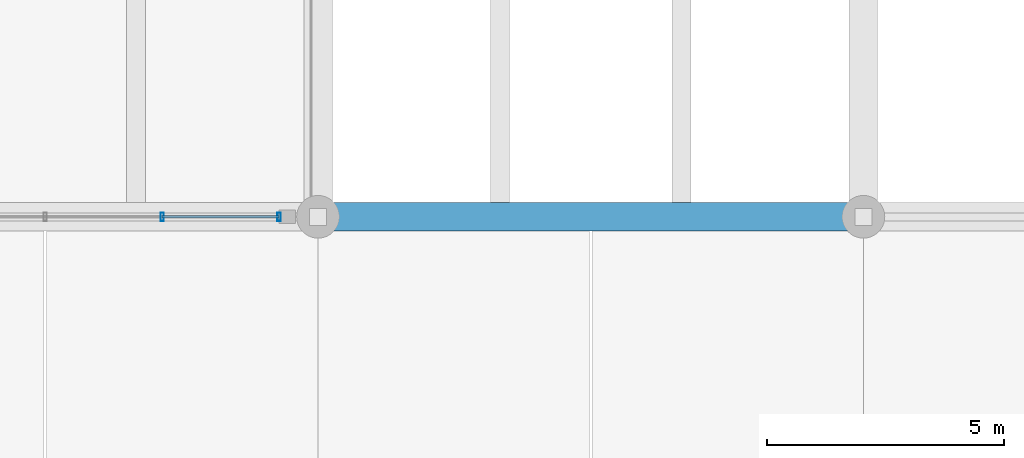
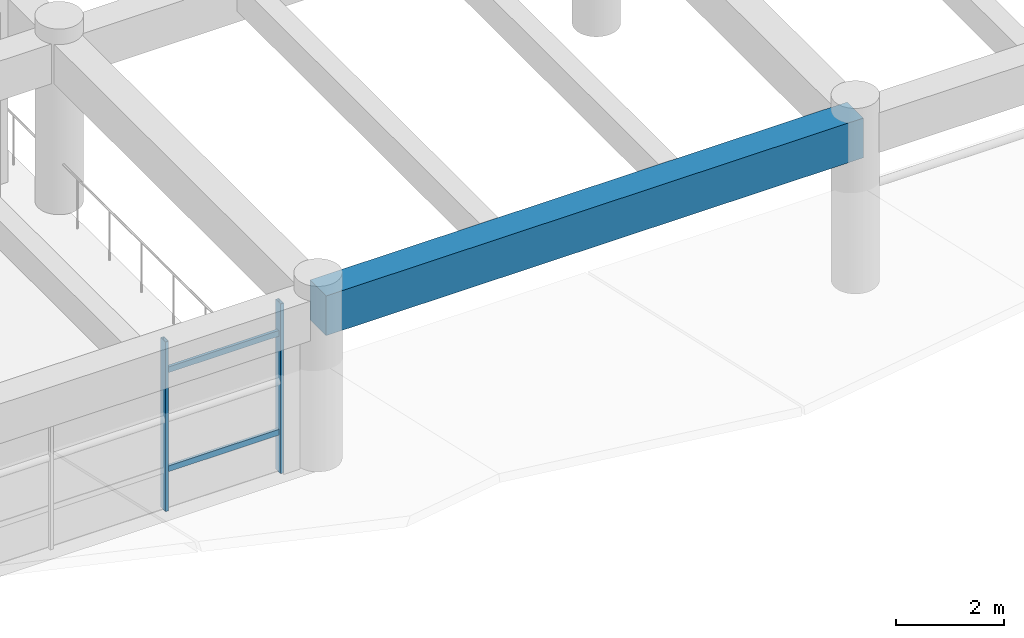
# One storey, part 16 of 98: 4 members, 1 beam, 1 element without a shape of its own.
"""IFC4 building model written with IfcOpenShell, lengths in metres."""

from ifc_helpers import new_model, si_unit, direction, frame, origin, origin_2d, place, context, subcontext, project, spatial, rectangle, hollow_rectangle, extrude, material, material_profile, profile_set, type_object, element, aggregate, save


model = new_model("IFC4")

# Units and contexts
model_context = context("Model", 3, precision=1e-05, world=origin(), true_north=direction((0.0, 1.0)))
body_context = subcontext(model_context, "Body", "Model", "MODEL_VIEW")
ifc_project = project(units=[si_unit("LENGTHUNIT", "METRE"), si_unit("AREAUNIT", "SQUARE_METRE"), si_unit("VOLUMEUNIT", "CUBIC_METRE"), si_unit("PLANEANGLEUNIT", "RADIAN"), si_unit("MASSUNIT", "GRAM", prefix="KILO")], contexts=[model_context])

# Site, building, storey
site_placement = place(None, origin())
site = spatial("IfcSite", under=ifc_project, at=site_placement, CompositionType="ELEMENT")
building_placement = place(site_placement, origin())
building = spatial("IfcBuilding", under=site, at=building_placement, Name="Ologun Quay Terminus", CompositionType="ELEMENT")
storey_placement = place(building_placement, frame((0.0, 0.0, 4.199951171875)))
storey = spatial("IfcBuildingStorey", under=building, at=storey_placement, Name="L01", CompositionType="ELEMENT", Elevation=4.199951171875)

# Curtain wall, members
ifc_material_1 = material(Name="Aluminium 6063-T6", Category="aluminium")
curtain_wall_type = type_object("IfcCurtainWallType", Name="Ticket Hall Upper Portal Curtain Wall 10700x3800", PredefinedType="USERDEFINED", material=ifc_material_1)
curtain_wall_placement = place(storey_placement, origin())
curtain_wall = element("IfcCurtainWall", 1, at=curtain_wall_placement, inside=storey, type_object=curtain_wall_type, Name="CW-02 Curtain Wall CW-L01-014", ObjectType="UNITISED CURTAIN WALL", PredefinedType="USERDEFINED")
ifc_material_2 = material(Name="Aluminium 6063-T6", Category="aluminium")
ifc_material_profile_1 = material_profile(ifc_material_2, hollow_rectangle(XDim=0.070068359375, YDim=0.179931640625, WallThickness=0.0048828125, at=origin_2d()), Name="ALU 180x70x5")
ifc_profile_set_1 = profile_set([ifc_material_profile_1], Name="Aluminium 6063-T6")
member_type_1 = type_object("IfcMemberType", Name="Curtain Wall Heavy Mullion 180x70", PredefinedType="MULLION", material=ifc_profile_set_1)
member_1_placement = place(storey_placement, frame((65.715087890625, 8.0, 0.0), z_axis=(0.0, 0.0, 1.0), x_axis=(1.0, 0.0, 0.0)))
member_1 = element("IfcMember", 2, at=member_1_placement, type_object=member_type_1, Name="CW-L01-014 Mullion 4", PredefinedType="MULLION", context=body_context, shape_type="SweptSolid", body=[
    extrude(hollow_rectangle(XDim=0.070068359375, YDim=0.179931640625, WallThickness=0.0048828125, at=origin_2d()), origin(), (0.0, 0.0, 1.0), 3.840087890625),
])
member_2_placement = place(storey_placement, frame((68.179931640625, 8.0, 0.0), z_axis=(0.0, 0.0, 1.0), x_axis=(1.0, 0.0, 0.0)))
member_2 = element("IfcMember", 3, at=member_2_placement, type_object=member_type_1, Name="CW-L01-014 Mullion 5", PredefinedType="MULLION", context=body_context, shape_type="SweptSolid", body=[
    extrude(hollow_rectangle(XDim=0.070068359375, YDim=0.179931640625, WallThickness=0.0048828125, at=origin_2d()), origin(), (0.0, 0.0, 1.0), 3.840087890625),
])
ifc_material_3 = material(Name="Aluminium 6063-T6", Category="aluminium")
ifc_material_profile_2 = material_profile(ifc_material_3, hollow_rectangle(XDim=0.06005859375, YDim=0.1298828125, WallThickness=0.00390625, at=origin_2d()), Name="ALU 130x60x4")
ifc_profile_set_2 = profile_set([ifc_material_profile_2], Name="Aluminium 6063-T6")
member_type_2 = type_object("IfcMemberType", Name="Curtain Wall Heavy Transom 130x60", PredefinedType="USERDEFINED", material=ifc_profile_set_2)
member_3_placement = place(storey_placement, frame((65.715087890625, 8.0, 0.900146484375), z_axis=(1.0, 0.0, 0.0), x_axis=(0.0, 1.0, 0.0)))
member_3 = element("IfcMember", 4, at=member_3_placement, type_object=member_type_2, Name="CW-L01-014 Transom B4-1", ObjectType="TRANSOM", PredefinedType="USERDEFINED", context=body_context, shape_type="SweptSolid", body=[
    extrude(hollow_rectangle(XDim=0.06005859375, YDim=0.1298828125, WallThickness=0.00390625, at=origin_2d()), origin(), (0.0, 0.0, 1.0), 2.46484375),
])
member_4_placement = place(storey_placement, frame((65.715087890625, 8.0, 3.14013671875), z_axis=(1.0, 0.0, 0.0), x_axis=(0.0, 1.0, 0.0)))
member_4 = element("IfcMember", 5, at=member_4_placement, type_object=member_type_2, Name="CW-L01-014 Transom B4-2", ObjectType="TRANSOM", PredefinedType="USERDEFINED", context=body_context, shape_type="SweptSolid", body=[
    extrude(hollow_rectangle(XDim=0.06005859375, YDim=0.1298828125, WallThickness=0.00390625, at=origin_2d()), origin(), (0.0, 0.0, 1.0), 2.46484375),
])
aggregate(curtain_wall, [member_1, member_2, member_3, member_4])

# Beam
ifc_material_4 = material(Name="Concrete C40/50", Category="concrete")
ifc_material_profile_3 = material_profile(ifc_material_4, rectangle(XDim=0.60009765625, YDim=0.89990234375, at=origin_2d()), Name="RC 600x900")
ifc_profile_set_3 = profile_set([ifc_material_profile_3], Name="Concrete C40/50")
beam_type = type_object("IfcBeamType", Name="Station Frame Girder 600x900", PredefinedType="BEAM", material=ifc_profile_set_3)
beam_placement = place(storey_placement, frame((69.0, 8.0, 3.400146484375), z_axis=(1.0, 0.0, 0.0), x_axis=(0.0, 1.0, 0.0)))
element("IfcBeam", 6, at=beam_placement, inside=storey, type_object=beam_type, Name="B3 Beam 7/B L01", PredefinedType="BEAM", context=body_context, shape_type="SweptSolid", body=[
    extrude(rectangle(XDim=0.60009765625, YDim=0.89990234375, at=origin_2d()), origin(), (0.0, 0.0, 1.0), 11.5),
])

save(model, "model.ifc")
